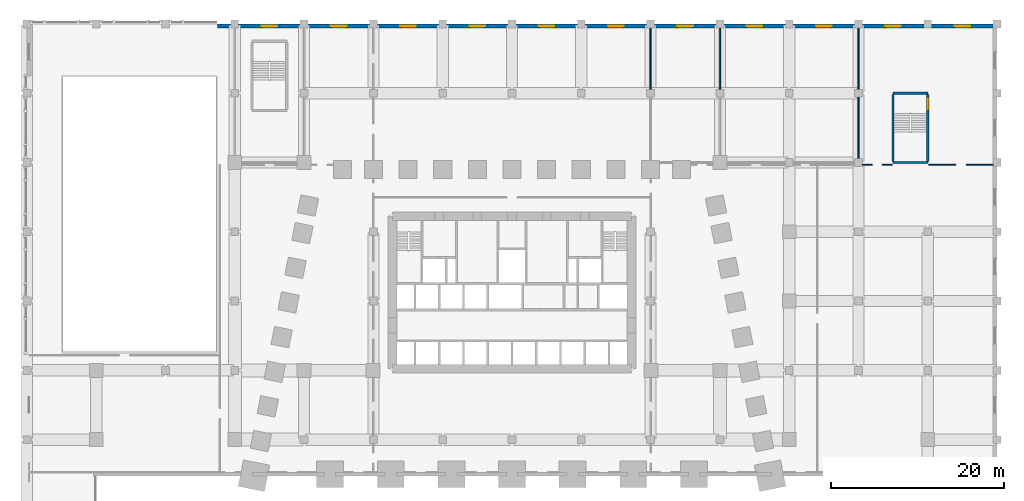
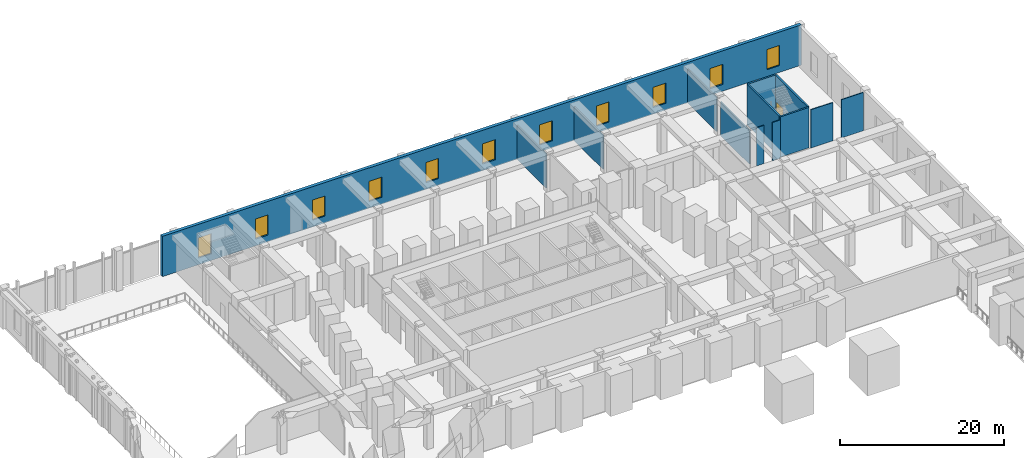
# One storey, part 13 of 25: 13 walls, 11 windows, 1 door, 12 openings.
"""IFC4 building model written with IfcOpenShell, lengths in metres."""

from ifc_helpers import new_model, si_unit, direction, frame, frame_2d, origin, place, context, subcontext, project, spatial, rectangle, extrude, material, layer, layer_set, type_object, element, fill, save


model = new_model("IFC4")

# Units and contexts
model_context = context("Model", 3, precision=1e-05, world=origin(), true_north=direction((0.0, 1.0)))
body_context = subcontext(model_context, "Body", "Model", "MODEL_VIEW")
ifc_project = project(units=[si_unit("LENGTHUNIT", "METRE"), si_unit("AREAUNIT", "SQUARE_METRE"), si_unit("VOLUMEUNIT", "CUBIC_METRE"), si_unit("PLANEANGLEUNIT", "RADIAN"), si_unit("MASSUNIT", "GRAM", prefix="KILO")], contexts=[model_context])

# Site, building, storey
site_placement = place(None, origin())
site = spatial("IfcSite", under=ifc_project, at=site_placement, CompositionType="ELEMENT")
building_placement = place(site_placement, origin())
building = spatial("IfcBuilding", under=site, at=building_placement, Name="Isbrekke Arena Tower", CompositionType="ELEMENT")
storey_placement = place(building_placement, frame((0.0, 0.0, 6.0)))
storey = spatial("IfcBuildingStorey", under=building, at=storey_placement, Name="L01", CompositionType="ELEMENT", Elevation=6.0)

# Wall, openings, windows
ifc_material_1 = material(Name="Pale brick facing on concrete backing wall", Category="masonry")
ifc_layer_1 = layer(ifc_material_1, 0.449951171875)
ifc_layer_set_1 = layer_set([ifc_layer_1], Name="EW1 PODIUM BRICK WALL 450")
wall_type_1 = type_object("IfcWallType", Name="EW1 PODIUM BRICK WALL 450", PredefinedType="SOLIDWALL", material=ifc_layer_set_1)
wall_1_placement = place(storey_placement, frame((56.0, 45.77490234375, 0.0), z_axis=(0.0, 0.0, 1.0), x_axis=(-1.0, 0.0, 0.0)))
wall_1 = element("IfcWall", 1, at=wall_1_placement, inside=storey, type_object=wall_type_1, Name="EW1 podium wall N1 L01", PredefinedType="SOLIDWALL", context=body_context, shape_type="SweptSolid", body=[
    extrude(rectangle(XDim=90.0, YDim=0.449951171875, at=frame_2d((45.0, 0.0))), origin(), (0.0, 0.0, 1.0), 6.0),
])
opening_1_placement = place(wall_1_placement, frame((3.10009765625, 0.0, 1.0)))
opening_1 = element("IfcOpeningElement", 2, at=opening_1_placement, cuts=wall_1, Name="Opening WN2", PredefinedType="OPENING", context=body_context, shape_type="SweptSolid", body=[
    extrude(rectangle(XDim=1.800048828125, YDim=3.0, at=frame_2d((0.89990234375, 1.5))), frame((0.0, 0.23974609375, 0.0), z_axis=(0.0, -1.0, 0.0), x_axis=(1.0, 0.0, 0.0)), (0.0, 0.0, 1.0), 0.479736328125),
])
opening_2_placement = place(wall_1_placement, frame((11.10009765625, 0.0, 1.0)))
opening_2 = element("IfcOpeningElement", 3, at=opening_2_placement, cuts=wall_1, Name="Opening WN2", PredefinedType="OPENING", context=body_context, shape_type="SweptSolid", body=[
    extrude(rectangle(XDim=1.800048828125, YDim=3.0, at=frame_2d((0.89990234375, 1.5))), frame((0.0, 0.23974609375, 0.0), z_axis=(0.0, -1.0, 0.0), x_axis=(1.0, 0.0, 0.0)), (0.0, 0.0, 1.0), 0.479736328125),
])
opening_3_placement = place(wall_1_placement, frame((19.10009765625, 0.0, 1.0)))
opening_3 = element("IfcOpeningElement", 4, at=opening_3_placement, cuts=wall_1, Name="Opening WN2", PredefinedType="OPENING", context=body_context, shape_type="SweptSolid", body=[
    extrude(rectangle(XDim=1.800048828125, YDim=3.0, at=frame_2d((0.89990234375, 1.5))), frame((0.0, 0.23974609375, 0.0), z_axis=(0.0, -1.0, 0.0), x_axis=(1.0, 0.0, 0.0)), (0.0, 0.0, 1.0), 0.479736328125),
])
opening_4_placement = place(wall_1_placement, frame((27.10009765625, 0.0, 1.0)))
opening_4 = element("IfcOpeningElement", 5, at=opening_4_placement, cuts=wall_1, Name="Opening WN2", PredefinedType="OPENING", context=body_context, shape_type="SweptSolid", body=[
    extrude(rectangle(XDim=1.800048828125, YDim=3.0, at=frame_2d((0.89990234375, 1.5))), frame((0.0, 0.23974609375, 0.0), z_axis=(0.0, -1.0, 0.0), x_axis=(1.0, 0.0, 0.0)), (0.0, 0.0, 1.0), 0.479736328125),
])
opening_5_placement = place(wall_1_placement, frame((35.10009765625, 0.0, 1.0)))
opening_5 = element("IfcOpeningElement", 6, at=opening_5_placement, cuts=wall_1, Name="Opening WN2", PredefinedType="OPENING", context=body_context, shape_type="SweptSolid", body=[
    extrude(rectangle(XDim=1.800048828125, YDim=3.0, at=frame_2d((0.89990234375, 1.5))), frame((0.0, 0.23974609375, 0.0), z_axis=(0.0, -1.0, 0.0), x_axis=(1.0, 0.0, 0.0)), (0.0, 0.0, 1.0), 0.479736328125),
])
opening_6_placement = place(wall_1_placement, frame((43.10009765625, 0.0, 1.0)))
opening_6 = element("IfcOpeningElement", 7, at=opening_6_placement, cuts=wall_1, Name="Opening WN2", PredefinedType="OPENING", context=body_context, shape_type="SweptSolid", body=[
    extrude(rectangle(XDim=1.800048828125, YDim=3.0, at=frame_2d((0.89990234375, 1.5))), frame((0.0, 0.23974609375, 0.0), z_axis=(0.0, -1.0, 0.0), x_axis=(1.0, 0.0, 0.0)), (0.0, 0.0, 1.0), 0.479736328125),
])
opening_7_placement = place(wall_1_placement, frame((51.10009765625, 0.0, 1.0)))
opening_7 = element("IfcOpeningElement", 8, at=opening_7_placement, cuts=wall_1, Name="Opening WN2", PredefinedType="OPENING", context=body_context, shape_type="SweptSolid", body=[
    extrude(rectangle(XDim=1.800048828125, YDim=3.0, at=frame_2d((0.89990234375, 1.5))), frame((0.0, 0.23974609375, 0.0), z_axis=(0.0, -1.0, 0.0), x_axis=(1.0, 0.0, 0.0)), (0.0, 0.0, 1.0), 0.479736328125),
])
opening_8_placement = place(wall_1_placement, frame((59.10009765625, 0.0, 1.0)))
opening_8 = element("IfcOpeningElement", 9, at=opening_8_placement, cuts=wall_1, Name="Opening WN2", PredefinedType="OPENING", context=body_context, shape_type="SweptSolid", body=[
    extrude(rectangle(XDim=1.800048828125, YDim=3.0, at=frame_2d((0.89990234375, 1.5))), frame((0.0, 0.23974609375, 0.0), z_axis=(0.0, -1.0, 0.0), x_axis=(1.0, 0.0, 0.0)), (0.0, 0.0, 1.0), 0.479736328125),
])
opening_9_placement = place(wall_1_placement, frame((67.10009765625, 0.0, 1.0)))
opening_9 = element("IfcOpeningElement", 10, at=opening_9_placement, cuts=wall_1, Name="Opening WN2", PredefinedType="OPENING", context=body_context, shape_type="SweptSolid", body=[
    extrude(rectangle(XDim=1.800048828125, YDim=3.0, at=frame_2d((0.89990234375, 1.5))), frame((0.0, 0.23974609375, 0.0), z_axis=(0.0, -1.0, 0.0), x_axis=(1.0, 0.0, 0.0)), (0.0, 0.0, 1.0), 0.479736328125),
])
opening_10_placement = place(wall_1_placement, frame((75.10009765625, 0.0, 1.0)))
opening_10 = element("IfcOpeningElement", 11, at=opening_10_placement, cuts=wall_1, Name="Opening WN2", PredefinedType="OPENING", context=body_context, shape_type="SweptSolid", body=[
    extrude(rectangle(XDim=1.800048828125, YDim=3.0, at=frame_2d((0.89990234375, 1.5))), frame((0.0, 0.23974609375, 0.0), z_axis=(0.0, -1.0, 0.0), x_axis=(1.0, 0.0, 0.0)), (0.0, 0.0, 1.0), 0.479736328125),
])
opening_11_placement = place(wall_1_placement, frame((83.10009765625, 0.0, 1.0)))
opening_11 = element("IfcOpeningElement", 12, at=opening_11_placement, cuts=wall_1, Name="Opening WN2", PredefinedType="OPENING", context=body_context, shape_type="SweptSolid", body=[
    extrude(rectangle(XDim=1.800048828125, YDim=3.0, at=frame_2d((0.89990234375, 1.5))), frame((0.0, 0.23974609375, 0.0), z_axis=(0.0, -1.0, 0.0), x_axis=(1.0, 0.0, 0.0)), (0.0, 0.0, 1.0), 0.479736328125),
])
ifc_material_2 = material(Name="Timber-aluminium window, triple glazed", Category="wood")
window_type = type_object("IfcWindowType", Name="WN2 PODIUM WINDOW 1800 x 3000", PartitioningType="SINGLE_PANEL", PredefinedType="WINDOW", material=ifc_material_2)
window_1_placement = place(opening_1_placement, origin())
window_1 = element("IfcWindow", 13, at=window_1_placement, inside=storey, type_object=window_type, Name="WN2 podium window N1-1", OverallHeight=3.0, OverallWidth=1.800048828125, PartitioningType="SINGLE_PANEL", PredefinedType="WINDOW", context=body_context, shape_type="SweptSolid", body=[
    extrude(rectangle(XDim=1.800048828125, YDim=3.0, at=frame_2d((0.89990234375, 1.5))), frame((0.0, 0.030029296875, 0.0), z_axis=(0.0, -1.0, 0.0), x_axis=(1.0, 0.0, 0.0)), (0.0, 0.0, 1.0), 0.06005859375),
])
fill(opening_1, window_1)
window_2_placement = place(opening_2_placement, origin())
window_2 = element("IfcWindow", 14, at=window_2_placement, inside=storey, type_object=window_type, Name="WN2 podium window N1-2", OverallHeight=3.0, OverallWidth=1.800048828125, PartitioningType="SINGLE_PANEL", PredefinedType="WINDOW", context=body_context, shape_type="SweptSolid", body=[
    extrude(rectangle(XDim=1.800048828125, YDim=3.0, at=frame_2d((0.89990234375, 1.5))), frame((0.0, 0.030029296875, 0.0), z_axis=(0.0, -1.0, 0.0), x_axis=(1.0, 0.0, 0.0)), (0.0, 0.0, 1.0), 0.06005859375),
])
fill(opening_2, window_2)
window_3_placement = place(opening_3_placement, origin())
window_3 = element("IfcWindow", 15, at=window_3_placement, inside=storey, type_object=window_type, Name="WN2 podium window N1-3", OverallHeight=3.0, OverallWidth=1.800048828125, PartitioningType="SINGLE_PANEL", PredefinedType="WINDOW", context=body_context, shape_type="SweptSolid", body=[
    extrude(rectangle(XDim=1.800048828125, YDim=3.0, at=frame_2d((0.89990234375, 1.5))), frame((0.0, 0.030029296875, 0.0), z_axis=(0.0, -1.0, 0.0), x_axis=(1.0, 0.0, 0.0)), (0.0, 0.0, 1.0), 0.06005859375),
])
fill(opening_3, window_3)
window_4_placement = place(opening_4_placement, origin())
window_4 = element("IfcWindow", 16, at=window_4_placement, inside=storey, type_object=window_type, Name="WN2 podium window N1-4", OverallHeight=3.0, OverallWidth=1.800048828125, PartitioningType="SINGLE_PANEL", PredefinedType="WINDOW", context=body_context, shape_type="SweptSolid", body=[
    extrude(rectangle(XDim=1.800048828125, YDim=3.0, at=frame_2d((0.89990234375, 1.5))), frame((0.0, 0.030029296875, 0.0), z_axis=(0.0, -1.0, 0.0), x_axis=(1.0, 0.0, 0.0)), (0.0, 0.0, 1.0), 0.06005859375),
])
fill(opening_4, window_4)
window_5_placement = place(opening_5_placement, origin())
window_5 = element("IfcWindow", 17, at=window_5_placement, inside=storey, type_object=window_type, Name="WN2 podium window N1-5", OverallHeight=3.0, OverallWidth=1.800048828125, PartitioningType="SINGLE_PANEL", PredefinedType="WINDOW", context=body_context, shape_type="SweptSolid", body=[
    extrude(rectangle(XDim=1.800048828125, YDim=3.0, at=frame_2d((0.89990234375, 1.5))), frame((0.0, 0.030029296875, 0.0), z_axis=(0.0, -1.0, 0.0), x_axis=(1.0, 0.0, 0.0)), (0.0, 0.0, 1.0), 0.06005859375),
])
fill(opening_5, window_5)
window_6_placement = place(opening_6_placement, origin())
window_6 = element("IfcWindow", 18, at=window_6_placement, inside=storey, type_object=window_type, Name="WN2 podium window N1-6", OverallHeight=3.0, OverallWidth=1.800048828125, PartitioningType="SINGLE_PANEL", PredefinedType="WINDOW", context=body_context, shape_type="SweptSolid", body=[
    extrude(rectangle(XDim=1.800048828125, YDim=3.0, at=frame_2d((0.89990234375, 1.5))), frame((0.0, 0.030029296875, 0.0), z_axis=(0.0, -1.0, 0.0), x_axis=(1.0, 0.0, 0.0)), (0.0, 0.0, 1.0), 0.06005859375),
])
fill(opening_6, window_6)
window_7_placement = place(opening_7_placement, origin())
window_7 = element("IfcWindow", 19, at=window_7_placement, inside=storey, type_object=window_type, Name="WN2 podium window N1-7", OverallHeight=3.0, OverallWidth=1.800048828125, PartitioningType="SINGLE_PANEL", PredefinedType="WINDOW", context=body_context, shape_type="SweptSolid", body=[
    extrude(rectangle(XDim=1.800048828125, YDim=3.0, at=frame_2d((0.89990234375, 1.5))), frame((0.0, 0.030029296875, 0.0), z_axis=(0.0, -1.0, 0.0), x_axis=(1.0, 0.0, 0.0)), (0.0, 0.0, 1.0), 0.06005859375),
])
fill(opening_7, window_7)
window_8_placement = place(opening_8_placement, origin())
window_8 = element("IfcWindow", 20, at=window_8_placement, inside=storey, type_object=window_type, Name="WN2 podium window N1-8", OverallHeight=3.0, OverallWidth=1.800048828125, PartitioningType="SINGLE_PANEL", PredefinedType="WINDOW", context=body_context, shape_type="SweptSolid", body=[
    extrude(rectangle(XDim=1.800048828125, YDim=3.0, at=frame_2d((0.89990234375, 1.5))), frame((0.0, 0.030029296875, 0.0), z_axis=(0.0, -1.0, 0.0), x_axis=(1.0, 0.0, 0.0)), (0.0, 0.0, 1.0), 0.06005859375),
])
fill(opening_8, window_8)
window_9_placement = place(opening_9_placement, origin())
window_9 = element("IfcWindow", 21, at=window_9_placement, inside=storey, type_object=window_type, Name="WN2 podium window N1-9", OverallHeight=3.0, OverallWidth=1.800048828125, PartitioningType="SINGLE_PANEL", PredefinedType="WINDOW", context=body_context, shape_type="SweptSolid", body=[
    extrude(rectangle(XDim=1.800048828125, YDim=3.0, at=frame_2d((0.89990234375, 1.5))), frame((0.0, 0.030029296875, 0.0), z_axis=(0.0, -1.0, 0.0), x_axis=(1.0, 0.0, 0.0)), (0.0, 0.0, 1.0), 0.06005859375),
])
fill(opening_9, window_9)
window_10_placement = place(opening_10_placement, origin())
window_10 = element("IfcWindow", 22, at=window_10_placement, inside=storey, type_object=window_type, Name="WN2 podium window N1-10", OverallHeight=3.0, OverallWidth=1.800048828125, PartitioningType="SINGLE_PANEL", PredefinedType="WINDOW", context=body_context, shape_type="SweptSolid", body=[
    extrude(rectangle(XDim=1.800048828125, YDim=3.0, at=frame_2d((0.89990234375, 1.5))), frame((0.0, 0.030029296875, 0.0), z_axis=(0.0, -1.0, 0.0), x_axis=(1.0, 0.0, 0.0)), (0.0, 0.0, 1.0), 0.06005859375),
])
fill(opening_10, window_10)
window_11_placement = place(opening_11_placement, origin())
window_11 = element("IfcWindow", 23, at=window_11_placement, inside=storey, type_object=window_type, Name="WN2 podium window N1-11", OverallHeight=3.0, OverallWidth=1.800048828125, PartitioningType="SINGLE_PANEL", PredefinedType="WINDOW", context=body_context, shape_type="SweptSolid", body=[
    extrude(rectangle(XDim=1.800048828125, YDim=3.0, at=frame_2d((0.89990234375, 1.5))), frame((0.0, 0.030029296875, 0.0), z_axis=(0.0, -1.0, 0.0), x_axis=(1.0, 0.0, 0.0)), (0.0, 0.0, 1.0), 0.06005859375),
])
fill(opening_11, window_11)

# Walls
ifc_material_3 = material(Name="Gypsum board partition on steel studs", Category="steel")
ifc_layer_2 = layer(ifc_material_3, 0.14990234375)
ifc_layer_set_2 = layer_set([ifc_layer_2], Name="IW1 PARTITION 150")
wall_type_2 = type_object("IfcWallType", Name="IW1 PARTITION 150", PredefinedType="PARTITIONING", material=ifc_layer_set_2)
for number, where, z_axis, x_axis, name in (
    (24, (16.0, 38.4599609375, 0.0), (0.0, 0.0, 1.0), (0.0, 1.0, 0.0), "IW1 partition L01"),
    (25, (24.0, 38.4599609375, 0.0), (0.0, 0.0, 1.0), (0.0, 1.0, 0.0), "IW1 partition L01"),
    (26, (40.0, 30.4599609375, 0.0), (0.0, 0.0, 1.0), (0.0, 1.0, 0.0), "IW1 partition L01"),
    (27, (40.0, 38.4599609375, 0.0), (0.0, 0.0, 1.0), (0.0, 1.0, 0.0), "IW1 partition L01"),
):
    element("IfcWall", number, at=place(storey_placement, frame(where, z_axis=z_axis, x_axis=x_axis)), inside=storey, type_object=wall_type_2, Name=name, PredefinedType="PARTITIONING", context=body_context, shape_type="SweptSolid", body=[
        extrude(rectangle(XDim=7.080078125, YDim=0.14990234375, at=frame_2d((3.5400390625, 0.0))), origin(), (0.0, 0.0, 1.0), 5.050048828125),
    ])
ifc_material_4 = material(Name="Frameless glazed partition, laminated acoustic glass", Category="glass")
ifc_layer_3 = layer(ifc_material_4, 0.1201171875)
ifc_layer_set_3 = layer_set([ifc_layer_3], Name="IW2 GLAZED PARTITION 120")
wall_type_3 = type_object("IfcWallType", Name="IW2 GLAZED PARTITION 120", PredefinedType="PARTITIONING", material=ifc_layer_set_3)
for number, where, z_axis, x_axis, name in (
    (28, (40.4599609375, 29.75, 0.0), (0.0, 0.0, 1.0), (1.0, 0.0, 0.0), "IW2 glazed partition L01"),
    (29, (42.767578125, 29.75, 0.0), (0.0, 0.0, 1.0), (1.0, 0.0, 0.0), "IW2 glazed partition L01"),
):
    element("IfcWall", number, at=place(storey_placement, frame(where, z_axis=z_axis, x_axis=x_axis)), inside=storey, type_object=wall_type_3, Name=name, PredefinedType="PARTITIONING", context=body_context, shape_type="SweptSolid", body=[
        extrude(rectangle(XDim=1.107421875, YDim=0.1201171875, at=frame_2d((0.5537109375, 0.0))), origin(), (0.0, 0.0, 1.0), 5.699951171875),
    ])
for number, where, z_axis, x_axis, name in (
    (30, (48.125, 29.75, 0.0), (0.0, 0.0, 1.0), (1.0, 0.0, 0.0), "IW2 glazed partition L01"),
    (31, (52.4326171875, 29.75, 0.0), (0.0, 0.0, 1.0), (1.0, 0.0, 0.0), "IW2 glazed partition L01"),
):
    element("IfcWall", number, at=place(storey_placement, frame(where, z_axis=z_axis, x_axis=x_axis)), inside=storey, type_object=wall_type_3, Name=name, PredefinedType="PARTITIONING", context=body_context, shape_type="SweptSolid", body=[
        extrude(rectangle(XDim=3.107421875, YDim=0.1201171875, at=frame_2d((1.5537109375, 0.0))), origin(), (0.0, 0.0, 1.0), 5.699951171875),
    ])
ifc_material_5 = material(Name="Concrete B45 (C45/55)", Category="concrete")
ifc_layer_4 = layer(ifc_material_5, 0.25)
ifc_layer_set_4 = layer_set([ifc_layer_4], Name="SW1 STAIR ENCLOSURE WALL 250")
wall_type_4 = type_object("IfcWallType", Name="SW1 STAIR ENCLOSURE WALL 250", PredefinedType="SOLIDWALL", material=ifc_layer_set_4)
for number, where, z_axis, x_axis, name in (
    (32, (44.0, 30.0, 0.0), (0.0, 0.0, 1.0), (1.0, 0.0, 0.0), "SW1 stair wall P1 S L01"),
    (33, (48.0, 38.0, 0.0), (0.0, 0.0, 1.0), (-1.0, 0.0, 0.0), "SW1 stair wall P1 N L01"),
):
    element("IfcWall", number, at=place(storey_placement, frame(where, z_axis=z_axis, x_axis=x_axis)), inside=storey, type_object=wall_type_4, Name=name, PredefinedType="SOLIDWALL", context=body_context, shape_type="SweptSolid", body=[
        extrude(rectangle(XDim=4.0, YDim=0.25, at=frame_2d((2.0, 0.0))), origin(), (0.0, 0.0, 1.0), 6.0),
    ])

# Wall, opening, door
wall_2_placement = place(storey_placement, frame((48.0, 30.125, 0.0), z_axis=(0.0, 0.0, 1.0), x_axis=(0.0, 1.0, 0.0)))
wall_2 = element("IfcWall", 34, at=wall_2_placement, inside=storey, type_object=wall_type_4, Name="SW1 stair wall P1 E L01", PredefinedType="SOLIDWALL", context=body_context, shape_type="SweptSolid", body=[
    extrude(rectangle(XDim=7.75, YDim=0.25, at=frame_2d((3.875, 0.0))), origin(), (0.0, 0.0, 1.0), 6.0),
])
opening_12_placement = place(wall_2_placement, frame((5.85009765625, 0.0, 0.0)))
opening_12 = element("IfcOpeningElement", 35, at=opening_12_placement, cuts=wall_2, Name="Opening D7", PredefinedType="OPENING", context=body_context, shape_type="SweptSolid", body=[
    extrude(rectangle(XDim=1.60009765625, YDim=2.10009765625, at=frame_2d((0.800048828125, 1.050048828125))), frame((0.0, 0.139892578125, 0.0), z_axis=(0.0, -1.0, 0.0), x_axis=(1.0, 0.0, 0.0)), (0.0, 0.0, 1.0), 0.27978515625),
])
ifc_material_6 = material(Name="Steel fire door", Category="steel")
door_type = type_object("IfcDoorType", Name="D7 PODIUM STAIR DOOR 1600 x 2100", OperationType="DOUBLE_DOOR_SINGLE_SWING", PredefinedType="DOOR", material=ifc_material_6)
door_placement = place(opening_12_placement, origin())
door = element("IfcDoor", 36, at=door_placement, inside=storey, type_object=door_type, Name="D7 stair door P1 L01", OperationType="DOUBLE_DOOR_SINGLE_SWING", OverallHeight=2.10009765625, OverallWidth=1.60009765625, PredefinedType="DOOR", context=body_context, shape_type="SweptSolid", body=[
    extrude(rectangle(XDim=1.60009765625, YDim=2.10009765625, at=frame_2d((0.800048828125, 1.050048828125))), frame((0.0, 0.124755859375, 0.0), z_axis=(0.0, -1.0, 0.0), x_axis=(1.0, 0.0, 0.0)), (0.0, 0.0, 1.0), 0.24951171875),
])
fill(opening_12, door)

# Wall
wall_3_placement = place(storey_placement, frame((44.0, 37.875, 0.0), z_axis=(0.0, 0.0, 1.0), x_axis=(0.0, -1.0, 0.0)))
element("IfcWall", 37, at=wall_3_placement, inside=storey, type_object=wall_type_4, Name="SW1 stair wall P1 W L01", PredefinedType="SOLIDWALL", context=body_context, shape_type="SweptSolid", body=[
    extrude(rectangle(XDim=7.75, YDim=0.25, at=frame_2d((3.875, 0.0))), origin(), (0.0, 0.0, 1.0), 6.0),
])

save(model, "model.ifc")
